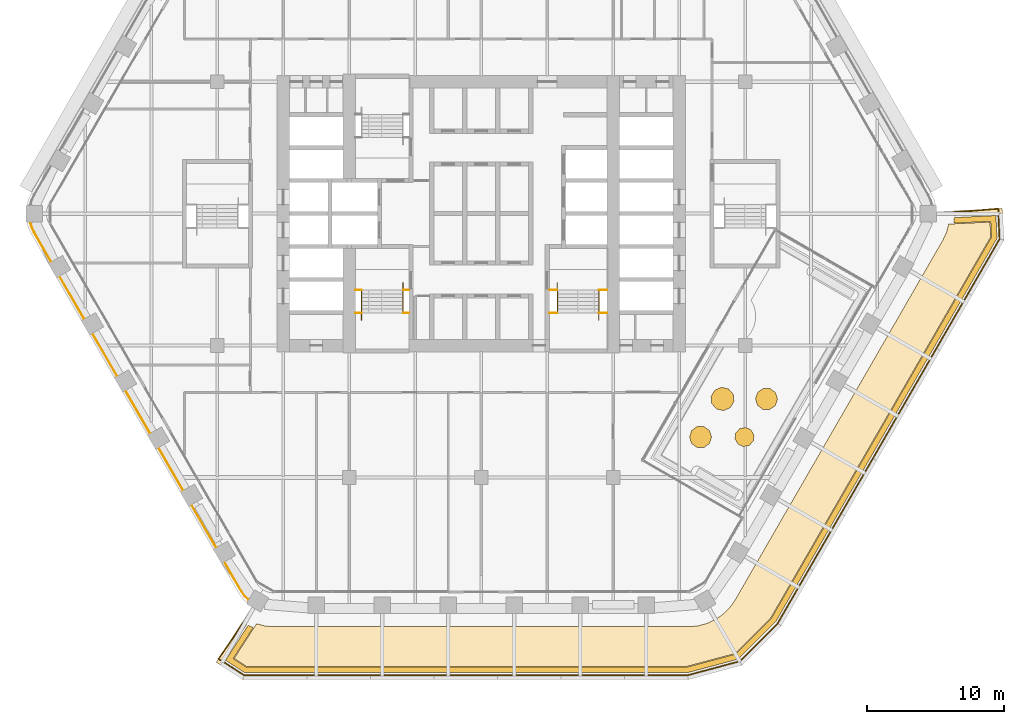
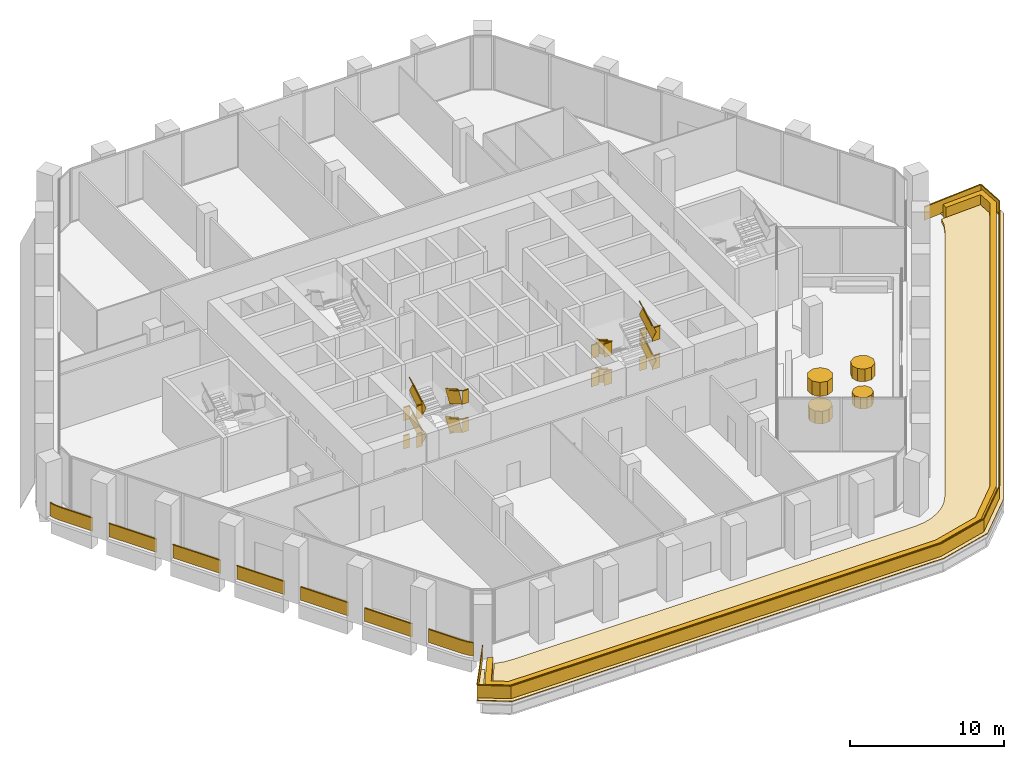
# One storey, part 23 of 25: 7 coverings, 6 railings.
"""IFC4 building model written with IfcOpenShell, lengths in metres."""

from ifc_helpers import new_model, si_unit, direction, frame, frame_2d, origin, origin_2d, place, context, subcontext, project, spatial, polyline, rectangle, outline, extrude, material, layer, layer_set, type_object, element, save


model = new_model("IFC4")

# Units and contexts
model_context = context("Model", 3, precision=1e-05, world=origin(), true_north=direction((0.0, 1.0)))
body_context = subcontext(model_context, "Body", "Model", "MODEL_VIEW")
ifc_project = project(units=[si_unit("LENGTHUNIT", "METRE"), si_unit("AREAUNIT", "SQUARE_METRE"), si_unit("VOLUMEUNIT", "CUBIC_METRE"), si_unit("PLANEANGLEUNIT", "RADIAN"), si_unit("MASSUNIT", "GRAM", prefix="KILO")], contexts=[model_context])

# Site, building, storey
site_placement = place(None, origin())
site = spatial("IfcSite", under=ifc_project, at=site_placement, CompositionType="ELEMENT")
building_placement = place(site_placement, origin())
building = spatial("IfcBuilding", under=site, at=building_placement, Name="Kolab Exchange Tower", CompositionType="ELEMENT")
storey_placement = place(building_placement, frame((0.0, 0.0, 91.39990234375)))
storey = spatial("IfcBuildingStorey", under=building, at=storey_placement, Name="L17", CompositionType="ELEMENT", Elevation=91.39990234375)

# Coverings
ifc_material_1 = material(Name="Flowering shrub planting", Category="soil")
ifc_layer_1 = layer(ifc_material_1, 1.0)
ifc_layer_set_1 = layer_set([ifc_layer_1], Name="Flowering shrub planting")
covering_type_1 = type_object("IfcCoveringType", Name="FLOWERING SHRUB PLANTING", PredefinedType="USERDEFINED", material=ifc_layer_set_1)
covering_1_placement = place(storey_placement, frame((0.0, 0.0, 0.25)))
element("IfcCovering", 1, at=covering_1_placement, inside=storey, type_object=covering_type_1, Name="Flowering shrub", ObjectType="PLANTING", PredefinedType="USERDEFINED", context=body_context, shape_type="SweptSolid", body=[
    extrude(outline(polyline([(16.75341796875, -16.251708984375), (16.600830078125, -15.781494140625), (16.20068359375, -15.490966796875), (15.706298828125, -15.490966796875), (15.306396484375, -15.781494140625), (15.153564453125, -16.251708984375), (15.306396484375, -16.721923828125), (15.706298828125, -17.0126953125), (16.20068359375, -17.0126953125), (16.600830078125, -16.721923828125), (16.75341796875, -16.251708984375)])), origin(), (0.0, 0.0, 1.0), 1.0),
])
covering_2_placement = place(storey_placement, frame((0.0, 0.0, 0.25)))
element("IfcCovering", 2, at=covering_2_placement, inside=storey, type_object=covering_type_1, Name="Flowering shrub", ObjectType="PLANTING", PredefinedType="USERDEFINED", context=body_context, shape_type="SweptSolid", body=[
    extrude(outline(polyline([(21.413818359375, -13.02880859375), (21.022216796875, -12.72705078125), (20.52783203125, -12.713134765625), (20.119873046875, -12.9921875), (19.953857421875, -13.4580078125), (20.09326171875, -13.932373046875), (20.48486328125, -14.234130859375), (20.97900390625, -14.248046875), (21.38720703125, -13.968994140625), (21.55322265625, -13.503173828125), (21.413818359375, -13.02880859375)])), origin(), (0.0, 0.0, 1.0), 1.0),
])

# Railings
ifc_material_2 = material(Name="Stainless steel 316", Category="steel")
railing_type_1 = type_object("IfcRailingType", Name="GUARD 1100", PredefinedType="GUARDRAIL", material=ifc_material_2)
railing_1_placement = place(storey_placement, frame((-9.14990234375, -5.550048828125, 0.0)))
element("IfcRailing", 3, at=railing_1_placement, inside=storey, type_object=railing_type_1, Name="Guard ST3", PredefinedType="GUARDRAIL", context=body_context, shape_type="SweptSolid", body=[
    extrude(rectangle(XDim=0.05, YDim=0.05, at=origin_2d()), frame((0.0, 0.0, 1.0751953125), z_axis=(1.0, 0.0, 0.0), x_axis=(0.0, 1.0, 0.0)), (0.0, 0.0, 1.0), 0.43994140625),
    extrude(rectangle(XDim=0.012, YDim=1.05009765625, at=frame_2d((0.0, 0.525146484375))), frame((0.0, 0.0, 0.0), z_axis=(1.0, 0.0, 0.0), x_axis=(0.0, 1.0, 0.0)), (0.0, 0.0, 1.0), 0.43994140625),
    extrude(rectangle(XDim=0.05, YDim=0.05, at=origin_2d()), frame((3.4599609375, 0.0, 1.0751953125), z_axis=(1.0, 0.0, 0.0), x_axis=(0.0, 1.0, 0.0)), (0.0, 0.0, 1.0), 0.43994140625),
    extrude(rectangle(XDim=0.012, YDim=1.05009765625, at=frame_2d((0.0, 0.525146484375))), frame((3.4599609375, 0.0, 0.0), z_axis=(1.0, 0.0, 0.0), x_axis=(0.0, 1.0, 0.0)), (0.0, 0.0, 1.0), 0.43994140625),
    extrude(rectangle(XDim=0.05, YDim=0.05, at=origin_2d()), frame((0.0, -1.679931640625, 2.2001953125), z_axis=(1.0, 0.0, 0.0), x_axis=(0.0, 1.0, 0.0)), (0.0, 0.0, 1.0), 0.43994140625),
    extrude(rectangle(XDim=0.012, YDim=1.05009765625, at=frame_2d((0.0, 0.525146484375))), frame((0.0, -1.679931640625, 1.125), z_axis=(1.0, 0.0, 0.0), x_axis=(0.0, 1.0, 0.0)), (0.0, 0.0, 1.0), 0.43994140625),
    extrude(rectangle(XDim=0.05, YDim=0.05, at=origin_2d()), frame((3.4599609375, -1.679931640625, 2.2001953125), z_axis=(1.0, 0.0, 0.0), x_axis=(0.0, 1.0, 0.0)), (0.0, 0.0, 1.0), 0.43994140625),
    extrude(rectangle(XDim=0.012, YDim=1.05009765625, at=frame_2d((0.0, 0.525146484375))), frame((3.4599609375, -1.679931640625, 1.125), z_axis=(1.0, 0.0, 0.0), x_axis=(0.0, 1.0, 0.0)), (0.0, 0.0, 1.0), 0.43994140625),
    extrude(rectangle(XDim=0.05, YDim=0.05, at=origin_2d()), frame((0.0, 0.0, 3.3251953125), z_axis=(1.0, 0.0, 0.0), x_axis=(0.0, 1.0, 0.0)), (0.0, 0.0, 1.0), 0.43994140625),
    extrude(rectangle(XDim=0.012, YDim=1.05009765625, at=frame_2d((0.0, 0.525146484375))), frame((0.0, 0.0, 2.25), z_axis=(1.0, 0.0, 0.0), x_axis=(0.0, 1.0, 0.0)), (0.0, 0.0, 1.0), 0.43994140625),
    extrude(rectangle(XDim=0.05, YDim=0.05, at=origin_2d()), frame((3.4599609375, 0.0, 3.3251953125), z_axis=(1.0, 0.0, 0.0), x_axis=(0.0, 1.0, 0.0)), (0.0, 0.0, 1.0), 0.43994140625),
    extrude(rectangle(XDim=0.012, YDim=1.05009765625, at=frame_2d((0.0, 0.525146484375))), frame((3.4599609375, 0.0, 2.25), z_axis=(1.0, 0.0, 0.0), x_axis=(0.0, 1.0, 0.0)), (0.0, 0.0, 1.0), 0.43994140625),
    extrude(rectangle(XDim=0.05, YDim=0.05, at=origin_2d()), frame((0.0, -1.679931640625, 4.4501953125), z_axis=(1.0, 0.0, 0.0), x_axis=(0.0, 1.0, 0.0)), (0.0, 0.0, 1.0), 0.43994140625),
    extrude(rectangle(XDim=0.012, YDim=1.05009765625, at=frame_2d((0.0, 0.525146484375))), frame((0.0, -1.679931640625, 3.375), z_axis=(1.0, 0.0, 0.0), x_axis=(0.0, 1.0, 0.0)), (0.0, 0.0, 1.0), 0.43994140625),
    extrude(rectangle(XDim=0.05, YDim=0.05, at=origin_2d()), frame((3.4599609375, -1.679931640625, 4.4501953125), z_axis=(1.0, 0.0, 0.0), x_axis=(0.0, 1.0, 0.0)), (0.0, 0.0, 1.0), 0.43994140625),
    extrude(rectangle(XDim=0.012, YDim=1.05009765625, at=frame_2d((0.0, 0.525146484375))), frame((3.4599609375, -1.679931640625, 3.375), z_axis=(1.0, 0.0, 0.0), x_axis=(0.0, 1.0, 0.0)), (0.0, 0.0, 1.0), 0.43994140625),
])
railing_2_placement = place(storey_placement, frame((-5.68994140625, -5.550048828125, 0.160888671875)))
element("IfcRailing", 4, at=railing_2_placement, inside=storey, type_object=railing_type_1, Name="Handrail guard ST3", PredefinedType="GUARDRAIL", context=body_context, shape_type="SweptSolid", body=[
    extrude(rectangle(XDim=0.05, YDim=0.05, at=origin_2d()), frame((0.0, 0.0, 1.0751953125), z_axis=(0.0, -0.867318599139, 0.497753400378), x_axis=(1.0, 0.0, 0.0)), (0.0, 0.0, 1.0), 1.93701171875),
    extrude(rectangle(XDim=0.012, YDim=1.05009765625, at=frame_2d((0.0, 0.525146484375))), frame((0.0, 0.0, 0.0), z_axis=(0.0, -0.867318599139, 0.497753400378), x_axis=(1.0, 0.0, 0.0)), (0.0, 0.0, 1.0), 1.93701171875),
    extrude(rectangle(XDim=0.05, YDim=0.05, at=origin_2d()), frame((-3.02001953125, -1.679931640625, 2.2001953125), z_axis=(0.0, 0.867318599139, 0.497753400378), x_axis=(-1.0, 0.0, 0.0)), (0.0, 0.0, 1.0), 1.93701171875),
    extrude(rectangle(XDim=0.012, YDim=1.05009765625, at=frame_2d((0.0, 0.525146484375))), frame((-3.02001953125, -1.679931640625, 1.125), z_axis=(0.0, 0.867318599139, 0.497753400378), x_axis=(-1.0, 0.0, 0.0)), (0.0, 0.0, 1.0), 1.93701171875),
    extrude(rectangle(XDim=0.05, YDim=0.05, at=origin_2d()), frame((0.0, 0.0, 3.3251953125), z_axis=(0.0, -0.867318599139, 0.497753400378), x_axis=(1.0, 0.0, 0.0)), (0.0, 0.0, 1.0), 1.93701171875),
    extrude(rectangle(XDim=0.012, YDim=1.05009765625, at=frame_2d((0.0, 0.525146484375))), frame((0.0, 0.0, 2.25), z_axis=(0.0, -0.867318599139, 0.497753400378), x_axis=(1.0, 0.0, 0.0)), (0.0, 0.0, 1.0), 1.93701171875),
    extrude(rectangle(XDim=0.05, YDim=0.05, at=origin_2d()), frame((-3.02001953125, -1.679931640625, 4.4501953125), z_axis=(0.0, 0.867318599139, 0.497753400378), x_axis=(-1.0, 0.0, 0.0)), (0.0, 0.0, 1.0), 1.93701171875),
    extrude(rectangle(XDim=0.012, YDim=1.05009765625, at=frame_2d((0.0, 0.525146484375))), frame((-3.02001953125, -1.679931640625, 3.375), z_axis=(0.0, 0.867318599139, 0.497753400378), x_axis=(-1.0, 0.0, 0.0)), (0.0, 0.0, 1.0), 1.93701171875),
])
railing_3_placement = place(storey_placement, frame((4.949951171875, -5.550048828125, 0.0)))
element("IfcRailing", 5, at=railing_3_placement, inside=storey, type_object=railing_type_1, Name="Guard ST2", PredefinedType="GUARDRAIL", context=body_context, shape_type="SweptSolid", body=[
    extrude(rectangle(XDim=0.05, YDim=0.05, at=origin_2d()), frame((0.0, 0.0, 1.0751953125), z_axis=(1.0, 0.0, 0.0), x_axis=(0.0, 1.0, 0.0)), (0.0, 0.0, 1.0), 0.590087890625),
    extrude(rectangle(XDim=0.012, YDim=1.05009765625, at=frame_2d((0.0, 0.525146484375))), frame((0.0, 0.0, 0.0), z_axis=(1.0, 0.0, 0.0), x_axis=(0.0, 1.0, 0.0)), (0.0, 0.0, 1.0), 0.590087890625),
    extrude(rectangle(XDim=0.05, YDim=0.05, at=origin_2d()), frame((3.610107421875, 0.0, 1.0751953125), z_axis=(1.0, 0.0, 0.0), x_axis=(0.0, 1.0, 0.0)), (0.0, 0.0, 1.0), 0.58984375),
    extrude(rectangle(XDim=0.012, YDim=1.05009765625, at=frame_2d((0.0, 0.525146484375))), frame((3.610107421875, 0.0, 0.0), z_axis=(1.0, 0.0, 0.0), x_axis=(0.0, 1.0, 0.0)), (0.0, 0.0, 1.0), 0.58984375),
    extrude(rectangle(XDim=0.05, YDim=0.05, at=origin_2d()), frame((0.0, -1.679931640625, 2.2001953125), z_axis=(1.0, 0.0, 0.0), x_axis=(0.0, 1.0, 0.0)), (0.0, 0.0, 1.0), 0.590087890625),
    extrude(rectangle(XDim=0.012, YDim=1.05009765625, at=frame_2d((0.0, 0.525146484375))), frame((0.0, -1.679931640625, 1.125), z_axis=(1.0, 0.0, 0.0), x_axis=(0.0, 1.0, 0.0)), (0.0, 0.0, 1.0), 0.590087890625),
    extrude(rectangle(XDim=0.05, YDim=0.05, at=origin_2d()), frame((3.610107421875, -1.679931640625, 2.2001953125), z_axis=(1.0, 0.0, 0.0), x_axis=(0.0, 1.0, 0.0)), (0.0, 0.0, 1.0), 0.58984375),
    extrude(rectangle(XDim=0.012, YDim=1.05009765625, at=frame_2d((0.0, 0.525146484375))), frame((3.610107421875, -1.679931640625, 1.125), z_axis=(1.0, 0.0, 0.0), x_axis=(0.0, 1.0, 0.0)), (0.0, 0.0, 1.0), 0.58984375),
    extrude(rectangle(XDim=0.05, YDim=0.05, at=origin_2d()), frame((0.0, 0.0, 3.3251953125), z_axis=(1.0, 0.0, 0.0), x_axis=(0.0, 1.0, 0.0)), (0.0, 0.0, 1.0), 0.590087890625),
    extrude(rectangle(XDim=0.012, YDim=1.05009765625, at=frame_2d((0.0, 0.525146484375))), frame((0.0, 0.0, 2.25), z_axis=(1.0, 0.0, 0.0), x_axis=(0.0, 1.0, 0.0)), (0.0, 0.0, 1.0), 0.590087890625),
    extrude(rectangle(XDim=0.05, YDim=0.05, at=origin_2d()), frame((3.610107421875, 0.0, 3.3251953125), z_axis=(1.0, 0.0, 0.0), x_axis=(0.0, 1.0, 0.0)), (0.0, 0.0, 1.0), 0.58984375),
    extrude(rectangle(XDim=0.012, YDim=1.05009765625, at=frame_2d((0.0, 0.525146484375))), frame((3.610107421875, 0.0, 2.25), z_axis=(1.0, 0.0, 0.0), x_axis=(0.0, 1.0, 0.0)), (0.0, 0.0, 1.0), 0.58984375),
    extrude(rectangle(XDim=0.05, YDim=0.05, at=origin_2d()), frame((0.0, -1.679931640625, 4.4501953125), z_axis=(1.0, 0.0, 0.0), x_axis=(0.0, 1.0, 0.0)), (0.0, 0.0, 1.0), 0.590087890625),
    extrude(rectangle(XDim=0.012, YDim=1.05009765625, at=frame_2d((0.0, 0.525146484375))), frame((0.0, -1.679931640625, 3.375), z_axis=(1.0, 0.0, 0.0), x_axis=(0.0, 1.0, 0.0)), (0.0, 0.0, 1.0), 0.590087890625),
    extrude(rectangle(XDim=0.05, YDim=0.05, at=origin_2d()), frame((3.610107421875, -1.679931640625, 4.4501953125), z_axis=(1.0, 0.0, 0.0), x_axis=(0.0, 1.0, 0.0)), (0.0, 0.0, 1.0), 0.58984375),
    extrude(rectangle(XDim=0.012, YDim=1.05009765625, at=frame_2d((0.0, 0.525146484375))), frame((3.610107421875, -1.679931640625, 3.375), z_axis=(1.0, 0.0, 0.0), x_axis=(0.0, 1.0, 0.0)), (0.0, 0.0, 1.0), 0.58984375),
])
railing_4_placement = place(storey_placement, frame((5.5400390625, -5.550048828125, 0.160888671875)))
element("IfcRailing", 6, at=railing_4_placement, inside=storey, type_object=railing_type_1, Name="Handrail guard ST2", PredefinedType="GUARDRAIL", context=body_context, shape_type="SweptSolid", body=[
    extrude(rectangle(XDim=0.05, YDim=0.05, at=origin_2d()), frame((0.0, 0.0, 1.0751953125), z_axis=(0.0, -0.867318599139, 0.497753400378), x_axis=(1.0, 0.0, 0.0)), (0.0, 0.0, 1.0), 1.93701171875),
    extrude(rectangle(XDim=0.012, YDim=1.05009765625, at=frame_2d((0.0, 0.525146484375))), frame((0.0, 0.0, 0.0), z_axis=(0.0, -0.867318599139, 0.497753400378), x_axis=(1.0, 0.0, 0.0)), (0.0, 0.0, 1.0), 1.93701171875),
    extrude(rectangle(XDim=0.05, YDim=0.05, at=origin_2d()), frame((3.02001953125, -1.679931640625, 2.2001953125), z_axis=(0.0, 0.867318599139, 0.497753400378), x_axis=(-1.0, 0.0, 0.0)), (0.0, 0.0, 1.0), 1.93701171875),
    extrude(rectangle(XDim=0.012, YDim=1.05009765625, at=frame_2d((0.0, 0.525146484375))), frame((3.02001953125, -1.679931640625, 1.125), z_axis=(0.0, 0.867318599139, 0.497753400378), x_axis=(-1.0, 0.0, 0.0)), (0.0, 0.0, 1.0), 1.93701171875),
    extrude(rectangle(XDim=0.05, YDim=0.05, at=origin_2d()), frame((0.0, 0.0, 3.3251953125), z_axis=(0.0, -0.867318599139, 0.497753400378), x_axis=(1.0, 0.0, 0.0)), (0.0, 0.0, 1.0), 1.93701171875),
    extrude(rectangle(XDim=0.012, YDim=1.05009765625, at=frame_2d((0.0, 0.525146484375))), frame((0.0, 0.0, 2.25), z_axis=(0.0, -0.867318599139, 0.497753400378), x_axis=(1.0, 0.0, 0.0)), (0.0, 0.0, 1.0), 1.93701171875),
    extrude(rectangle(XDim=0.05, YDim=0.05, at=origin_2d()), frame((3.02001953125, -1.679931640625, 4.4501953125), z_axis=(0.0, 0.867318599139, 0.497753400378), x_axis=(-1.0, 0.0, 0.0)), (0.0, 0.0, 1.0), 1.93701171875),
    extrude(rectangle(XDim=0.012, YDim=1.05009765625, at=frame_2d((0.0, 0.525146484375))), frame((3.02001953125, -1.679931640625, 3.375), z_axis=(0.0, 0.867318599139, 0.497753400378), x_axis=(-1.0, 0.0, 0.0)), (0.0, 0.0, 1.0), 1.93701171875),
])
ifc_material_3 = material(Name="Steel S235", Category="steel")
railing_type_2 = type_object("IfcRailingType", Name="GUARD 1100 GLASS BALUSTRADE AND STEEL TOP RAIL", PredefinedType="GUARDRAIL", material=ifc_material_3)
railing_5_placement = place(storey_placement, frame((-32.81298828125, -0.593994140625, 0.0)))
element("IfcRailing", 7, at=railing_5_placement, inside=storey, type_object=railing_type_2, Name="Guard", PredefinedType="GUARDRAIL", context=body_context, shape_type="SweptSolid", body=[
    extrude(rectangle(XDim=0.05, YDim=0.05, at=origin_2d()), frame((0.0, 0.0, 1.0751953125), z_axis=(0.259144041577, -0.965838685141, 0.0), x_axis=(0.965838685141, 0.259144041577, 0.0)), (0.0, 0.0, 1.0), 0.35888671875),
    extrude(rectangle(XDim=0.012, YDim=1.05009765625, at=frame_2d((0.0, 0.525146484375))), frame((0.0, 0.0, 0.0), z_axis=(0.259144041577, -0.965838685141, 0.0), x_axis=(0.965838685141, 0.259144041577, 0.0)), (0.0, 0.0, 1.0), 0.35888671875),
    extrude(rectangle(XDim=0.05, YDim=0.05, at=origin_2d()), frame((0.093017578125, -0.3466796875, 1.0751953125), z_axis=(0.422383329074, -0.906417300872, 0.0), x_axis=(0.906417300872, 0.422383329074, 0.0)), (0.0, 0.0, 1.0), 0.479248046875),
    extrude(rectangle(XDim=0.012, YDim=1.05009765625, at=frame_2d((0.0, 0.525146484375))), frame((0.093017578125, -0.3466796875, 0.0), z_axis=(0.422383329074, -0.906417300872, 0.0), x_axis=(0.906417300872, 0.422383329074, 0.0)), (0.0, 0.0, 1.0), 0.479248046875),
    extrude(rectangle(XDim=0.05, YDim=0.05, at=origin_2d()), frame((0.29541015625, -0.781005859375, 1.0751953125), z_axis=(0.500064973171, -0.865987888257, 0.0), x_axis=(0.865987888257, 0.500064973171, 0.0)), (0.0, 0.0, 1.0), 2.468017578125),
    extrude(rectangle(XDim=0.012, YDim=1.05009765625, at=frame_2d((0.0, 0.525146484375))), frame((0.29541015625, -0.781005859375, 0.0), z_axis=(0.500064973171, -0.865987888257, 0.0), x_axis=(0.865987888257, 0.500064973171, 0.0)), (0.0, 0.0, 1.0), 2.468017578125),
    extrude(rectangle(XDim=0.05, YDim=0.05, at=origin_2d()), frame((2.12939453125, -3.95751953125, 1.0751953125), z_axis=(0.500012057535, -0.866018442252, 0.0), x_axis=(0.866018442252, 0.500012057535, 0.0)), (0.0, 0.0, 1.0), 3.60009765625),
    extrude(rectangle(XDim=0.012, YDim=1.05009765625, at=frame_2d((0.0, 0.525146484375))), frame((2.12939453125, -3.95751953125, 0.0), z_axis=(0.500012057535, -0.866018442252, 0.0), x_axis=(0.866018442252, 0.500012057535, 0.0)), (0.0, 0.0, 1.0), 3.60009765625),
    extrude(rectangle(XDim=0.05, YDim=0.05, at=origin_2d()), frame((4.529541015625, -8.114501953125, 1.0751953125), z_axis=(0.500012057535, -0.866018442252, 0.0), x_axis=(0.866018442252, 0.500012057535, 0.0)), (0.0, 0.0, 1.0), 3.60009765625),
    extrude(rectangle(XDim=0.012, YDim=1.05009765625, at=frame_2d((0.0, 0.525146484375))), frame((4.529541015625, -8.114501953125, 0.0), z_axis=(0.500012057535, -0.866018442252, 0.0), x_axis=(0.866018442252, 0.500012057535, 0.0)), (0.0, 0.0, 1.0), 3.60009765625),
    extrude(rectangle(XDim=0.05, YDim=0.05, at=origin_2d()), frame((6.929443359375, -12.271484375, 1.0751953125), z_axis=(0.500012057535, -0.866018442252, 0.0), x_axis=(0.866018442252, 0.500012057535, 0.0)), (0.0, 0.0, 1.0), 3.60009765625),
    extrude(rectangle(XDim=0.012, YDim=1.05009765625, at=frame_2d((0.0, 0.525146484375))), frame((6.929443359375, -12.271484375, 0.0), z_axis=(0.500012057535, -0.866018442252, 0.0), x_axis=(0.866018442252, 0.500012057535, 0.0)), (0.0, 0.0, 1.0), 3.60009765625),
    extrude(rectangle(XDim=0.05, YDim=0.05, at=origin_2d()), frame((9.32958984375, -16.42822265625, 1.0751953125), z_axis=(0.499961193289, -0.866047807691, 0.0), x_axis=(0.866047807691, 0.499961193289, 0.0)), (0.0, 0.0, 1.0), 3.599853515625),
    extrude(rectangle(XDim=0.012, YDim=1.05009765625, at=frame_2d((0.0, 0.525146484375))), frame((9.32958984375, -16.42822265625, 0.0), z_axis=(0.499961193289, -0.866047807691, 0.0), x_axis=(0.866047807691, 0.499961193289, 0.0)), (0.0, 0.0, 1.0), 3.599853515625),
    extrude(rectangle(XDim=0.05, YDim=0.05, at=origin_2d()), frame((11.7294921875, -20.585205078125, 1.0751953125), z_axis=(0.500012057535, -0.866018442252, 0.0), x_axis=(0.866018442252, 0.500012057535, 0.0)), (0.0, 0.0, 1.0), 3.60009765625),
    extrude(rectangle(XDim=0.012, YDim=1.05009765625, at=frame_2d((0.0, 0.525146484375))), frame((11.7294921875, -20.585205078125, 0.0), z_axis=(0.500012057535, -0.866018442252, 0.0), x_axis=(0.866018442252, 0.500012057535, 0.0)), (0.0, 0.0, 1.0), 3.60009765625),
    extrude(rectangle(XDim=0.05, YDim=0.05, at=origin_2d()), frame((14.12939453125, -24.7421875, 1.0751953125), z_axis=(0.500064973171, -0.865987888257, 0.0), x_axis=(0.865987888257, 0.500064973171, 0.0)), (0.0, 0.0, 1.0), 2.468017578125),
    extrude(rectangle(XDim=0.012, YDim=1.05009765625, at=frame_2d((0.0, 0.525146484375))), frame((14.12939453125, -24.7421875, 0.0), z_axis=(0.500064973171, -0.865987888257, 0.0), x_axis=(0.865987888257, 0.500064973171, 0.0)), (0.0, 0.0, 1.0), 2.468017578125),
    extrude(rectangle(XDim=0.05, YDim=0.05, at=origin_2d()), frame((15.363525390625, -26.87939453125, 1.0751953125), z_axis=(0.573359816273, -0.819303680624, 0.0), x_axis=(0.819303680624, 0.573359816273, 0.0)), (0.0, 0.0, 1.0), 0.4794921875),
    extrude(rectangle(XDim=0.012, YDim=1.05009765625, at=frame_2d((0.0, 0.525146484375))), frame((15.363525390625, -26.87939453125, 0.0), z_axis=(0.573359816273, -0.819303680624, 0.0), x_axis=(0.819303680624, 0.573359816273, 0.0)), (0.0, 0.0, 1.0), 0.4794921875),
    extrude(rectangle(XDim=0.05, YDim=0.05, at=origin_2d()), frame((15.638427734375, -27.272216796875, 1.0751953125), z_axis=(0.707106781187, -0.707106781187, 0.0), x_axis=(0.707106781187, 0.707106781187, 0.0)), (0.0, 0.0, 1.0), 0.358642578125),
    extrude(rectangle(XDim=0.012, YDim=1.05009765625, at=frame_2d((0.0, 0.525146484375))), frame((15.638427734375, -27.272216796875, 0.0), z_axis=(0.707106781187, -0.707106781187, 0.0), x_axis=(0.707106781187, 0.707106781187, 0.0)), (0.0, 0.0, 1.0), 0.358642578125),
])
railing_6_placement = place(storey_placement, frame((33.135986328125, 0.0, 0.0)))
element("IfcRailing", 8, at=railing_6_placement, inside=storey, type_object=railing_type_2, Name="Terrace guard", PredefinedType="GUARDRAIL", context=body_context, shape_type="SweptSolid", body=[
    extrude(rectangle(XDim=0.05, YDim=0.05, at=origin_2d()), frame((0.0, 0.0, 1.0751953125), z_axis=(0.996530389676, 0.083229696942, 0.0), x_axis=(-0.083229696942, 0.996530389676, 0.0)), (0.0, 0.0, 1.0), 4.496826171875),
    extrude(rectangle(XDim=0.012, YDim=1.05009765625, at=frame_2d((0.0, 0.525146484375))), frame((0.0, 0.0, 0.0), z_axis=(0.996530389676, 0.083229696942, 0.0), x_axis=(-0.083229696942, 0.996530389676, 0.0)), (0.0, 0.0, 1.0), 4.496826171875),
    extrude(rectangle(XDim=0.05, YDim=0.05, at=origin_2d()), frame((4.481201171875, 0.374267578125, 1.0751953125), z_axis=(0.050003246507, -0.998749055238, 0.0), x_axis=(0.998749055238, 0.050003246507, 0.0)), (0.0, 0.0, 1.0), 2.226318359375),
    extrude(rectangle(XDim=0.012, YDim=1.05009765625, at=frame_2d((0.0, 0.525146484375))), frame((4.481201171875, 0.374267578125, 0.0), z_axis=(0.050003246507, -0.998749055238, 0.0), x_axis=(0.998749055238, 0.050003246507, 0.0)), (0.0, 0.0, 1.0), 2.226318359375),
    extrude(rectangle(XDim=0.05, YDim=0.05, at=origin_2d()), frame((4.592529296875, -1.849365234375, 1.0751953125), z_axis=(-0.500005618083, -0.866022160158, 0.0), x_axis=(0.866022160158, -0.500005618083, 0.0)), (0.0, 0.0, 1.0), 32.291259765625),
    extrude(rectangle(XDim=0.012, YDim=1.05009765625, at=frame_2d((0.0, 0.525146484375))), frame((4.592529296875, -1.849365234375, 0.0), z_axis=(-0.500005618083, -0.866022160158, 0.0), x_axis=(0.866022160158, -0.500005618083, 0.0)), (0.0, 0.0, 1.0), 32.291259765625),
    extrude(rectangle(XDim=0.05, YDim=0.05, at=origin_2d()), frame((-11.55322265625, -29.814208984375, 1.0751953125), z_axis=(-0.707106781187, -0.707106781187, 0.0), x_axis=(0.707106781187, -0.707106781187, 0.0)), (0.0, 0.0, 1.0), 3.917724609375),
    extrude(rectangle(XDim=0.012, YDim=1.05009765625, at=frame_2d((0.0, 0.525146484375))), frame((-11.55322265625, -29.814208984375, 0.0), z_axis=(-0.707106781187, -0.707106781187, 0.0), x_axis=(0.707106781187, -0.707106781187, 0.0)), (0.0, 0.0, 1.0), 3.917724609375),
    extrude(rectangle(XDim=0.05, YDim=0.05, at=origin_2d()), frame((-14.323486328125, -32.58447265625, 1.0751953125), z_axis=(-0.965929136584, -0.258806690596, 0.0), x_axis=(0.258806690596, -0.965929136584, 0.0)), (0.0, 0.0, 1.0), 3.917724609375),
    extrude(rectangle(XDim=0.012, YDim=1.05009765625, at=frame_2d((0.0, 0.525146484375))), frame((-14.323486328125, -32.58447265625, 0.0), z_axis=(-0.965929136584, -0.258806690596, 0.0), x_axis=(0.258806690596, -0.965929136584, 0.0)), (0.0, 0.0, 1.0), 3.917724609375),
    extrude(rectangle(XDim=0.05, YDim=0.05, at=origin_2d()), frame((-18.107666015625, -33.598388671875, 1.0751953125), z_axis=(-1.0, 0.0, 0.0), x_axis=(0.0, -1.0, 0.0)), (0.0, 0.0, 1.0), 32.291015625),
    extrude(rectangle(XDim=0.012, YDim=1.05009765625, at=frame_2d((0.0, 0.525146484375))), frame((-18.107666015625, -33.598388671875, 0.0), z_axis=(-1.0, 0.0, 0.0), x_axis=(0.0, -1.0, 0.0)), (0.0, 0.0, 1.0), 32.291015625),
    extrude(rectangle(XDim=0.05, YDim=0.05, at=origin_2d()), frame((-50.398681640625, -33.598388671875, 1.0751953125), z_axis=(-0.839993562867, 0.542596364108, 0.0), x_axis=(-0.542596364108, -0.839993562867, 0.0)), (0.0, 0.0, 1.0), 2.226318359375),
    extrude(rectangle(XDim=0.012, YDim=1.05009765625, at=frame_2d((0.0, 0.525146484375))), frame((-50.398681640625, -33.598388671875, 0.0), z_axis=(-0.839993562867, 0.542596364108, 0.0), x_axis=(-0.542596364108, -0.839993562867, 0.0)), (0.0, 0.0, 1.0), 2.226318359375),
    extrude(rectangle(XDim=0.05, YDim=0.05, at=origin_2d()), frame((-52.268798828125, -32.390380859375, 1.0751953125), z_axis=(0.570361217709, 0.821393986668, 0.0), x_axis=(-0.821393986668, 0.570361217709, 0.0)), (0.0, 0.0, 1.0), 4.4970703125),
    extrude(rectangle(XDim=0.012, YDim=1.05009765625, at=frame_2d((0.0, 0.525146484375))), frame((-52.268798828125, -32.390380859375, 0.0), z_axis=(0.570361217709, 0.821393986668, 0.0), x_axis=(-0.821393986668, 0.570361217709, 0.0)), (0.0, 0.0, 1.0), 4.4970703125),
])

# Coverings
ifc_material_4 = material(Name="Dense shrub planting", Category="soil")
ifc_layer_2 = layer(ifc_material_4, 1.39990234375)
ifc_layer_set_2 = layer_set([ifc_layer_2], Name="Dense shrub planting")
covering_type_2 = type_object("IfcCoveringType", Name="PLANTED TRELLIS SCREEN AND SHRUB BED", PredefinedType="USERDEFINED", material=ifc_layer_set_2)
covering_3_placement = place(storey_placement, frame((0.0, 0.0, 0.25)))
element("IfcCovering", 9, at=covering_3_placement, inside=storey, type_object=covering_type_2, Name="Shrub bed", ObjectType="PLANTING", PredefinedType="USERDEFINED", context=body_context, shape_type="SweptSolid", body=[
    extrude(outline(polyline([(19.839599609375, -16.11279296875), (19.626708984375, -15.736083984375), (19.233154296875, -15.556396484375), (18.809326171875, -15.642333984375), (18.516845703125, -15.9609375), (18.467529296875, -16.390869140625), (18.68017578125, -16.767578125), (19.07373046875, -16.947265625), (19.497802734375, -16.861328125), (19.790283203125, -16.54248046875), (19.839599609375, -16.11279296875)])), origin(), (0.0, 0.0, 1.0), 0.900146484375),
])
covering_4_placement = place(storey_placement, frame((0.0, 0.0, 0.25)))
element("IfcCovering", 10, at=covering_4_placement, inside=storey, type_object=covering_type_2, Name="Shrub bed", ObjectType="PLANTING", PredefinedType="USERDEFINED", context=body_context, shape_type="SweptSolid", body=[
    extrude(outline(polyline([(18.33642578125, -13.149658203125), (17.992431640625, -12.752685546875), (17.480712890625, -12.6337890625), (16.996826171875, -12.83837890625), (16.7255859375, -13.2880859375), (16.7705078125, -13.8115234375), (17.11474609375, -14.20849609375), (17.62646484375, -14.327392578125), (18.1103515625, -14.122802734375), (18.38134765625, -13.6728515625), (18.33642578125, -13.149658203125)])), origin(), (0.0, 0.0, 1.0), 1.10009765625),
])
ifc_material_5 = material(Name="Planting soil and turf", Category="soil")
ifc_layer_3 = layer(ifc_material_5, 0.25)
ifc_layer_set_3 = layer_set([ifc_layer_3], Name="Planting soil and turf")
covering_type_3 = type_object("IfcCoveringType", Name="PLANTING SOIL AND TURF 250", PredefinedType="USERDEFINED", material=ifc_layer_set_3)
covering_5_placement = place(storey_placement, origin())
element("IfcCovering", 11, at=covering_5_placement, inside=storey, type_object=covering_type_3, Name="Planting soil and turf", ObjectType="PLANTING", PredefinedType="USERDEFINED", context=body_context, shape_type="SweptSolid", body=[
    extrude(outline(polyline([(-15.754638671875, -29.991943359375), (-15.109375, -30.048583984375), (15.109375, -30.048583984375), (15.754638671875, -29.991943359375), (16.420166015625, -29.8134765625), (17.044677734375, -29.5224609375), (17.609130859375, -29.127197265625), (18.0966796875, -28.639892578125), (18.468017578125, -28.109375), (33.577392578125, -1.939208984375), (33.85107421875, -1.352294921875), (34.010498046875, -0.75732421875), (37.015380859375, -0.60693359375), (37.069580078125, -1.6904296875), (21.062744140625, -29.415283203125), (18.47607421875, -32.001708984375), (14.94287109375, -32.948486328125), (-17.07080078125, -32.948486328125), (-17.98193359375, -32.35986328125), (-16.349365234375, -29.83251953125), (-15.754638671875, -29.991943359375)])), origin(), (0.0, 0.0, 1.0), 0.25),
])
ifc_material_6 = material(Name="Limestone coping", Category="masonry")
ifc_layer_4 = layer(ifc_material_6, 0.050048828125)
ifc_layer_set_4 = layer_set([ifc_layer_4], Name="Limestone coping")
covering_type_4 = type_object("IfcCoveringType", Name="TERRACE EDGE BAND LIMESTONE 50", PredefinedType="CLADDING", material=ifc_layer_set_4)
covering_6_placement = place(storey_placement, origin())
element("IfcCovering", 12, at=covering_6_placement, inside=storey, type_object=covering_type_4, Name="Terrace edge band", PredefinedType="CLADDING", context=body_context, shape_type="SweptSolid", body=[
    extrude(outline(polyline([(38.01220703125, -1.917724609375), (21.806884765625, -29.986328125), (18.95751953125, -32.83544921875), (15.065185546875, -33.87841796875), (-17.34521484375, -33.87841796875), (-19.267822265625, -32.636474609375), (-17.38037109375, -29.714599609375), (-17.3134765625, -29.761474609375), (-17.218017578125, -29.822265625), (-17.117431640625, -29.874755859375), (-17.07861328125, -29.892822265625), (-18.783935546875, -32.5322265625), (-17.241943359375, -33.528564453125), (15.019287109375, -33.528564453125), (18.7763671875, -32.521728515625), (21.52685546875, -29.771240234375), (37.657470703125, -1.832275390625), (37.565673828125, 0.001220703125), (34.42724609375, -0.15576171875), (34.430908203125, -0.11328125), (34.435791015625, 0.0), (34.430908203125, 0.11328125), (34.423828125, 0.194580078125), (37.897705078125, 0.368408203125), (38.01220703125, -1.917724609375)])), origin(), (0.0, 0.0, 1.0), 0.050048828125),
])
ifc_material_7 = material(Name="Terrace hedge planting", Category="soil")
ifc_layer_5 = layer(ifc_material_7, 1.0)
ifc_layer_set_5 = layer_set([ifc_layer_5], Name="Terrace hedge planting")
covering_type_5 = type_object("IfcCoveringType", Name="TERRACE HEDGE 1000 X 400", PredefinedType="USERDEFINED", material=ifc_layer_set_5)
covering_7_placement = place(storey_placement, origin())
element("IfcCovering", 13, at=covering_7_placement, inside=storey, type_object=covering_type_5, Name="Terrace hedge", ObjectType="PLANTING", PredefinedType="USERDEFINED", context=body_context, shape_type="SweptSolid", body=[
    extrude(outline(polyline([(37.4423828125, -0.135009765625), (37.525634765625, -1.80029296875), (21.4228515625, -29.69140625), (18.708984375, -32.4052734375), (15.001953125, -33.3984375), (-17.20361328125, -33.3984375), (-18.604248046875, -32.49365234375), (-16.959716796875, -29.9482421875), (-16.643310546875, -30.095703125), (-16.592529296875, -30.116943359375), (-18.05126953125, -32.374755859375), (-17.085693359375, -32.99853515625), (14.949462890625, -32.99853515625), (18.501953125, -32.046630859375), (21.102783203125, -29.44580078125), (37.120361328125, -1.70263671875), (37.06298828125, -0.554443359375), (34.378173828125, -0.68896484375), (34.38525390625, -0.63427734375), (34.415771484375, -0.28662109375), (37.4423828125, -0.135009765625)])), origin(), (0.0, 0.0, 1.0), 1.0),
])

save(model, "model.ifc")
